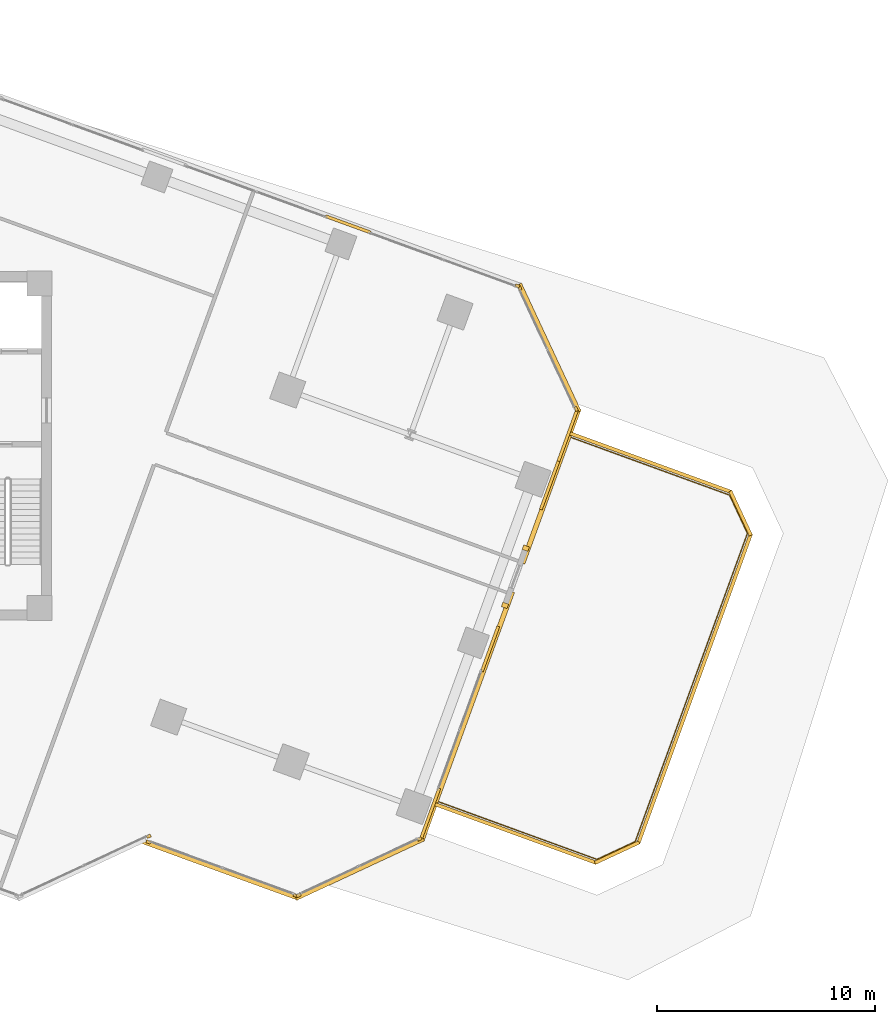
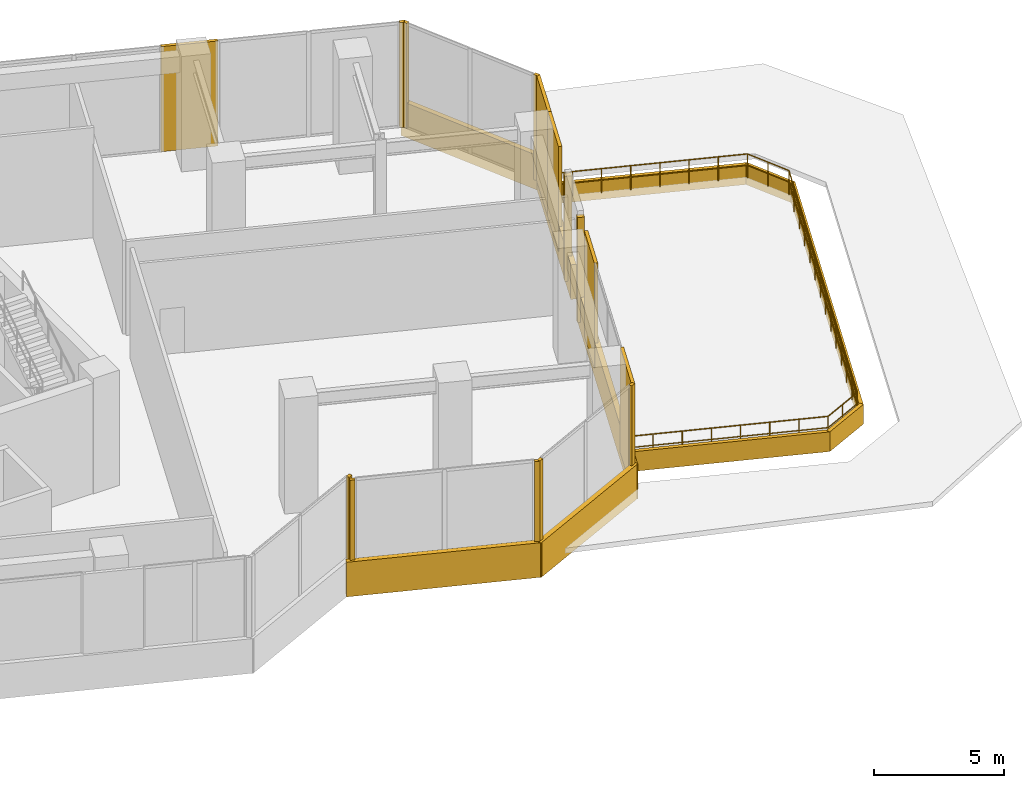
# One storey, part 20 of 21: 25 coverings, 1 railing.
"""IFC4 building model written with IfcOpenShell, lengths in metres."""

from ifc_helpers import new_model, si_unit, direction, frame, origin, origin_2d, place, context, subcontext, project, spatial, rectangle, circle, extrude, source, transform, mapped, material, layer, layer_set, type_object, element, save


model = new_model("IFC4")

# Units and contexts
model_context = context("Model", 3, precision=1e-05, world=origin(), true_north=direction((0.0, 1.0)))
body_context = subcontext(model_context, "Body", "Model", "MODEL_VIEW")
ifc_project = project(units=[si_unit("LENGTHUNIT", "METRE"), si_unit("AREAUNIT", "SQUARE_METRE"), si_unit("VOLUMEUNIT", "CUBIC_METRE"), si_unit("PLANEANGLEUNIT", "RADIAN"), si_unit("MASSUNIT", "GRAM", prefix="KILO")], contexts=[model_context])

# Site, building, storey
site_placement = place(None, origin())
site = spatial("IfcSite", under=ifc_project, at=site_placement, CompositionType="ELEMENT")
building_placement = place(site_placement, origin())
building = spatial("IfcBuilding", under=site, at=building_placement, Name="Torre Montelarca", CompositionType="ELEMENT")
storey_placement = place(building_placement, frame((0.0, 0.0, 127.60009765625)))
storey = spatial("IfcBuildingStorey", under=building, at=storey_placement, Name="L28", CompositionType="ELEMENT", Elevation=127.60009765625)

# Railing
ifc_material_1 = material(Name="Stainless steel AISI 316 and laminated glass", Category="steel")
railing_type = type_object("IfcRailingType", Name="RL-EXT-GUARD-1150", PredefinedType="BALUSTRADE", material=ifc_material_1)
railing_placement = place(storey_placement, frame((44.600341796875, 15.70654296875, 0.0)))
element("IfcRailing", 1, at=railing_placement, inside=storey, type_object=railing_type, Name="L28 Outdoor Terrace Balustrade Guard RL-L28-TER-01", PredefinedType="BALUSTRADE", context=body_context, shape_type="SweptSolid", body=[
    extrude(circle(Radius=0.02392578125, at=origin_2d()), frame((0.0, 0.0, 1.1259765625), z_axis=(0.939699329186, -0.342001711585, 0.0), x_axis=(0.342001711585, 0.939699329186, 0.0)), (0.0, 0.0, 1.0), 7.957275390625),
    extrude(circle(Radius=0.02099609375, at=origin_2d()), frame((0.0, 0.0, 0.597900390625), z_axis=(0.939699329186, -0.342001711585, 0.0), x_axis=(0.342001711585, 0.939699329186, 0.0)), (0.0, 0.0, 1.0), 7.957275390625),
    extrude(circle(Radius=0.02392578125, at=origin_2d()), frame((7.4775390625, -2.721435546875, 1.1259765625), z_axis=(0.90634050464, 0.422548091521, 0.0), x_axis=(-0.422548091521, 0.90634050464, 0.0)), (0.0, 0.0, 1.0), 1.94140625),
    extrude(circle(Radius=0.02099609375, at=origin_2d()), frame((7.4775390625, -2.721435546875, 0.597900390625), z_axis=(0.90634050464, 0.422548091521, 0.0), x_axis=(-0.422548091521, 0.90634050464, 0.0)), (0.0, 0.0, 1.0), 1.94140625),
    extrude(circle(Radius=0.02392578125, at=origin_2d()), frame((9.237060546875, -1.901123046875, 1.1259765625), z_axis=(0.342016125715, 0.939694083067, 0.0), x_axis=(-0.939694083067, 0.342016125715, 0.0)), (0.0, 0.0, 1.0), 15.07470703125),
    extrude(circle(Radius=0.02099609375, at=origin_2d()), frame((9.237060546875, -1.901123046875, 0.597900390625), z_axis=(0.342016125715, 0.939694083067, 0.0), x_axis=(-0.939694083067, 0.342016125715, 0.0)), (0.0, 0.0, 1.0), 15.07470703125),
    extrude(circle(Radius=0.02392578125, at=origin_2d()), frame((14.392822265625, 12.264404296875, 1.1259765625), z_axis=(-0.422699561417, 0.906269871935, 0.0), x_axis=(-0.906269871935, -0.422699561417, 0.0)), (0.0, 0.0, 1.0), 1.941162109375),
    extrude(circle(Radius=0.02099609375, at=origin_2d()), frame((14.392822265625, 12.264404296875, 0.597900390625), z_axis=(-0.422699561417, 0.906269871935, 0.0), x_axis=(-0.906269871935, -0.422699561417, 0.0)), (0.0, 0.0, 1.0), 1.941162109375),
    extrude(circle(Radius=0.02392578125, at=origin_2d()), frame((13.572265625, 14.023681640625, 1.1259765625), z_axis=(-0.939685879358, 0.342038664678, 0.0), x_axis=(-0.342038664678, -0.939685879358, 0.0)), (0.0, 0.0, 1.0), 7.957275390625),
    extrude(circle(Radius=0.02099609375, at=origin_2d()), frame((13.572265625, 14.023681640625, 0.597900390625), z_axis=(-0.939685879358, 0.342038664678, 0.0), x_axis=(-0.342038664678, -0.939685879358, 0.0)), (0.0, 0.0, 1.0), 7.957275390625),
    extrude(circle(Radius=0.02099609375, at=origin_2d()), origin(), (0.0, 0.0, 1.0), 1.101806640625),
    extrude(circle(Radius=0.02099609375, at=origin_2d()), frame((1.068115234375, -0.388671875, 0.0)), (0.0, 0.0, 1.0), 1.101806640625),
    extrude(circle(Radius=0.02099609375, at=origin_2d()), frame((2.136474609375, -0.777587890625, 0.0)), (0.0, 0.0, 1.0), 1.101806640625),
    extrude(circle(Radius=0.02099609375, at=origin_2d()), frame((3.20458984375, -1.166259765625, 0.0)), (0.0, 0.0, 1.0), 1.101806640625),
    extrude(circle(Radius=0.02099609375, at=origin_2d()), frame((4.27294921875, -1.55517578125, 0.0)), (0.0, 0.0, 1.0), 1.101806640625),
    extrude(circle(Radius=0.02099609375, at=origin_2d()), frame((5.341064453125, -1.94384765625, 0.0)), (0.0, 0.0, 1.0), 1.101806640625),
    extrude(circle(Radius=0.02099609375, at=origin_2d()), frame((6.409423828125, -2.332763671875, 0.0)), (0.0, 0.0, 1.0), 1.101806640625),
    extrude(circle(Radius=0.02099609375, at=origin_2d()), frame((7.4775390625, -2.721435546875, 0.0)), (0.0, 0.0, 1.0), 1.101806640625),
    extrude(circle(Radius=0.02099609375, at=origin_2d()), frame((8.357421875, -2.311279296875, 0.0)), (0.0, 0.0, 1.0), 1.101806640625),
    extrude(circle(Radius=0.02099609375, at=origin_2d()), frame((9.237060546875, -1.901123046875, 0.0)), (0.0, 0.0, 1.0), 1.101806640625),
    extrude(circle(Radius=0.02099609375, at=origin_2d()), frame((9.633544921875, -0.8115234375, 0.0)), (0.0, 0.0, 1.0), 1.101806640625),
    extrude(circle(Radius=0.02099609375, at=origin_2d()), frame((10.0302734375, 0.278076171875, 0.0)), (0.0, 0.0, 1.0), 1.101806640625),
    extrude(circle(Radius=0.02099609375, at=origin_2d()), frame((10.4267578125, 1.367919921875, 0.0)), (0.0, 0.0, 1.0), 1.101806640625),
    extrude(circle(Radius=0.02099609375, at=origin_2d()), frame((10.823486328125, 2.45751953125, 0.0)), (0.0, 0.0, 1.0), 1.101806640625),
    extrude(circle(Radius=0.02099609375, at=origin_2d()), frame((11.219970703125, 3.547119140625, 0.0)), (0.0, 0.0, 1.0), 1.101806640625),
    extrude(circle(Radius=0.02099609375, at=origin_2d()), frame((11.61669921875, 4.63671875, 0.0)), (0.0, 0.0, 1.0), 1.101806640625),
    extrude(circle(Radius=0.02099609375, at=origin_2d()), frame((12.01318359375, 5.7265625, 0.0)), (0.0, 0.0, 1.0), 1.101806640625),
    extrude(circle(Radius=0.02099609375, at=origin_2d()), frame((12.409912109375, 6.816162109375, 0.0)), (0.0, 0.0, 1.0), 1.101806640625),
    extrude(circle(Radius=0.02099609375, at=origin_2d()), frame((12.806396484375, 7.90576171875, 0.0)), (0.0, 0.0, 1.0), 1.101806640625),
    extrude(circle(Radius=0.02099609375, at=origin_2d()), frame((13.203125, 8.995361328125, 0.0)), (0.0, 0.0, 1.0), 1.101806640625),
    extrude(circle(Radius=0.02099609375, at=origin_2d()), frame((13.599609375, 10.085205078125, 0.0)), (0.0, 0.0, 1.0), 1.101806640625),
    extrude(circle(Radius=0.02099609375, at=origin_2d()), frame((13.996337890625, 11.1748046875, 0.0)), (0.0, 0.0, 1.0), 1.101806640625),
    extrude(circle(Radius=0.02099609375, at=origin_2d()), frame((14.392822265625, 12.264404296875, 0.0)), (0.0, 0.0, 1.0), 1.101806640625),
    extrude(circle(Radius=0.02099609375, at=origin_2d()), frame((13.982421875, 13.14404296875, 0.0)), (0.0, 0.0, 1.0), 1.101806640625),
    extrude(circle(Radius=0.02099609375, at=origin_2d()), frame((13.572265625, 14.023681640625, 0.0)), (0.0, 0.0, 1.0), 1.101806640625),
    extrude(circle(Radius=0.02099609375, at=origin_2d()), frame((12.504150390625, 14.41259765625, 0.0)), (0.0, 0.0, 1.0), 1.101806640625),
    extrude(circle(Radius=0.02099609375, at=origin_2d()), frame((11.435791015625, 14.80126953125, 0.0)), (0.0, 0.0, 1.0), 1.101806640625),
    extrude(circle(Radius=0.02099609375, at=origin_2d()), frame((10.36767578125, 15.190185546875, 0.0)), (0.0, 0.0, 1.0), 1.101806640625),
    extrude(circle(Radius=0.02099609375, at=origin_2d()), frame((9.299560546875, 15.578857421875, 0.0)), (0.0, 0.0, 1.0), 1.101806640625),
    extrude(circle(Radius=0.02099609375, at=origin_2d()), frame((8.2314453125, 15.9677734375, 0.0)), (0.0, 0.0, 1.0), 1.101806640625),
    extrude(circle(Radius=0.02099609375, at=origin_2d()), frame((7.1630859375, 16.3564453125, 0.0)), (0.0, 0.0, 1.0), 1.101806640625),
    extrude(circle(Radius=0.02099609375, at=origin_2d()), frame((6.094970703125, 16.745361328125, 0.0)), (0.0, 0.0, 1.0), 1.101806640625),
])

# Coverings
ifc_material_2 = material(Name="Bush-hammered warm white precast concrete C45/55", Category="concrete")
ifc_layer = layer(ifc_material_2, 0.139892578125, Name="Bush-hammered warm white precast concrete C45/55", Category="concrete")
ifc_layer_set = layer_set([ifc_layer], Name="Bush-hammered warm white precast concrete C45/55")
covering_type = type_object("IfcCoveringType", Name="COV-TRAY-CLAD", PredefinedType="CLADDING", material=ifc_layer_set)
shared_shape_1 = source(origin(), body_context, "Body", "SweptSolid", [
    extrude(rectangle(XDim=6.48388671875, YDim=0.219970703125, at=origin_2d()), origin(), (0.0, 0.0, 1.0), 1.6201171875),
])
for number, where, z_axis, x_axis, name in (
    (2, (41.17041015625, 12.572021484375, -0.4501953125), (0.0, 0.0, 1.0), (0.906309262247, 0.422615098127, 0.0), "L28 Architectural White Spandrel Tray Band TRYBOT-05"),
    (3, (49.877197265625, 36.494384765625, -0.4501953125), (0.0, 0.0, 1.0), (-0.422615098127, 0.906309262247, 0.0), "L28 Architectural White Spandrel Tray Band TRYBOT-07"),
):
    element("IfcCovering", number, at=place(storey_placement, frame(where, z_axis=z_axis, x_axis=x_axis)), inside=storey, type_object=covering_type, Name=name, PredefinedType="CLADDING", context=body_context, shape_type="MappedRepresentation", body=[
        mapped(shared_shape_1, transform((0.0, 0.0, 0.0), scale=1.0)),
    ])
shared_shape_2 = source(origin(), body_context, "Body", "SweptSolid", [
    extrude(rectangle(XDim=2.360107421875, YDim=0.139892578125, at=origin_2d()), origin(), (0.0, 0.0, 1.0), 4.919921875),
])
covering_1_placement = place(storey_placement, frame((49.899169921875, 30.177001953125, 0.0), z_axis=(0.0, 0.0, 1.0), x_axis=(0.342016863178, 0.939693814656, 0.0)))
element("IfcCovering", 4, at=covering_1_placement, inside=storey, type_object=covering_type, Name="L28 Architectural Column Pier Cladding E06-3", PredefinedType="CLADDING", context=body_context, shape_type="MappedRepresentation", body=[
    mapped(shared_shape_2, transform((0.0, 0.0, 0.0), scale=1.0)),
])
shared_shape_3 = source(origin(), body_context, "Body", "SweptSolid", [
    extrude(rectangle(XDim=0.199951171875, YDim=0.139892578125, at=origin_2d()), origin(), (0.0, 0.0, 1.0), 4.919921875),
])
for number, where, z_axis, x_axis, name in (
    (5, (31.475830078125, 14.047119140625, 0.0), (0.0, 0.0, 1.0), (0.906314425397, 0.422604025439, 0.0), "L28 Architectural Column Pier Cladding E02-2"),
    (6, (31.462646484375, 13.783935546875, 0.0), (0.0, 0.0, 1.0), (0.939695605439, -0.342011942948, 0.0), "L28 Architectural Column Pier Cladding E04-1"),
    (7, (38.220947265625, 11.32421875, 0.0), (0.0, 0.0, 1.0), (0.939695605439, -0.342011942948, 0.0), "L28 Architectural Column Pier Cladding E04-2"),
    (8, (38.3662109375, 11.33056640625, 0.0), (0.0, 0.0, 1.0), (0.906310737447, 0.422611934508, 0.0), "L28 Architectural Column Pier Cladding E05-1"),
    (9, (43.923828125, 13.922119140625, 0.0), (0.0, 0.0, 1.0), (0.906310737447, 0.422611934508, 0.0), "L28 Architectural Column Pier Cladding E05-2"),
    (10, (51.11865234375, 33.690185546875, 0.0), (0.0, 0.0, 1.0), (-0.422611934508, 0.906310737447, 0.0), "L28 Architectural Column Pier Cladding E07-1"),
    (11, (48.527099609375, 39.247802734375, 0.0), (0.0, 0.0, 1.0), (-0.422611934508, 0.906310737447, 0.0), "L28 Architectural Column Pier Cladding E07-2"),
    (12, (48.419921875, 39.345947265625, 0.0), (0.0, 0.0, 1.0), (-0.939693814656, 0.342016863178, 0.0), "L28 Architectural Column Pier Cladding E08-1"),
):
    element("IfcCovering", number, at=place(storey_placement, frame(where, z_axis=z_axis, x_axis=x_axis)), inside=storey, type_object=covering_type, Name=name, PredefinedType="CLADDING", context=body_context, shape_type="MappedRepresentation", body=[
        mapped(shared_shape_3, transform((0.0, 0.0, 0.0), scale=1.0)),
    ])
shared_shape_4 = source(origin(), body_context, "Body", "SweptSolid", [
    extrude(rectangle(XDim=2.2099609375, YDim=0.139892578125, at=origin_2d()), origin(), (0.0, 0.0, 1.0), 4.919921875),
])
for number, where, z_axis, x_axis, name in (
    (13, (47.1630859375, 22.659423828125, 0.0), (0.0, 0.0, 1.0), (0.342016863178, 0.939693814656, 0.0), "L28 Architectural Column Pier Cladding E06-2"),
    (14, (40.635498046875, 42.17919921875, 0.0), (0.0, 0.0, 1.0), (-0.939693814656, 0.342016863178, 0.0), "L28 Architectural Column Pier Cladding E08-2"),
):
    element("IfcCovering", number, at=place(storey_placement, frame(where, z_axis=z_axis, x_axis=x_axis)), inside=storey, type_object=covering_type, Name=name, PredefinedType="CLADDING", context=body_context, shape_type="MappedRepresentation", body=[
        mapped(shared_shape_4, transform((0.0, 0.0, 0.0), scale=1.0)),
    ])
shared_shape_5 = source(origin(), body_context, "Body", "SweptSolid", [
    extrude(rectangle(XDim=0.219970703125, YDim=0.280029296875, at=origin_2d()), origin(), (0.0, 0.0, 1.0), 4.919921875),
])
for number, where, z_axis, x_axis, name in (
    (15, (47.84912109375, 24.661376953125, 0.0), (0.0, 0.0, 1.0), (0.342016863178, 0.939693814656, 0.0), "L28 Terrace Portal Jamb Closure Mullion E06-A"),
    (16, (48.806640625, 27.29248046875, 0.0), (0.0, 0.0, 1.0), (0.342016863178, 0.939693814656, 0.0), "L28 Terrace Portal Jamb Closure Mullion E06-B"),
):
    element("IfcCovering", number, at=place(storey_placement, frame(where, z_axis=z_axis, x_axis=x_axis)), inside=storey, type_object=covering_type, Name=name, PredefinedType="CLADDING", context=body_context, shape_type="MappedRepresentation", body=[
        mapped(shared_shape_5, transform((0.0, 0.0, 0.0), scale=1.0)),
    ])
shared_shape_6 = source(origin(), body_context, "Body", "SweptSolid", [
    extrude(rectangle(XDim=2.464111328125, YDim=0.139892578125, at=origin_2d()), origin(), (0.0, 0.0, 1.0), 4.919921875),
])
covering_2_placement = place(storey_placement, frame((44.4091796875, 15.093017578125, 0.0), z_axis=(0.0, 0.0, 1.0), x_axis=(0.342016863178, 0.939693814656, 0.0)))
element("IfcCovering", 17, at=covering_2_placement, inside=storey, type_object=covering_type, Name="L28 Architectural Column Pier Cladding E06-1", PredefinedType="CLADDING", context=body_context, shape_type="MappedRepresentation", body=[
    mapped(shared_shape_6, transform((0.0, 0.0, 0.0), scale=1.0)),
])
shared_shape_7 = source(origin(), body_context, "Body", "SweptSolid", [
    extrude(rectangle(XDim=2.604248046875, YDim=0.139892578125, at=origin_2d()), origin(), (0.0, 0.0, 1.0), 4.919921875),
])
covering_3_placement = place(storey_placement, frame((50.7138671875, 32.415283203125, 0.0), z_axis=(0.0, 0.0, 1.0), x_axis=(0.342016863178, 0.939693814656, 0.0)))
element("IfcCovering", 18, at=covering_3_placement, inside=storey, type_object=covering_type, Name="L28 Architectural Column Pier Cladding E06-4", PredefinedType="CLADDING", context=body_context, shape_type="MappedRepresentation", body=[
    mapped(shared_shape_7, transform((0.0, 0.0, 0.0), scale=1.0)),
])
shared_shape_8 = source(origin(), body_context, "Body", "SweptSolid", [
    extrude(rectangle(XDim=7.6201171875, YDim=0.219970703125, at=origin_2d()), origin(), (0.0, 0.0, 1.0), 1.6201171875),
])
covering_4_placement = place(storey_placement, frame((34.785400390625, 12.5107421875, -0.4501953125), z_axis=(0.0, 0.0, 1.0), x_axis=(0.939695008514, -0.342013583025, 0.0)))
element("IfcCovering", 19, at=covering_4_placement, inside=storey, type_object=covering_type, Name="L28 Architectural White Spandrel Tray Band TRYBOT-04", PredefinedType="CLADDING", context=body_context, shape_type="MappedRepresentation", body=[
    mapped(shared_shape_8, transform((0.0, 0.0, 0.0), scale=1.0)),
])
shared_shape_9 = source(origin(), body_context, "Body", "SweptSolid", [
    extrude(rectangle(XDim=12.176025390625, YDim=0.219970703125, at=origin_2d()), origin(), (0.0, 0.0, 1.0), 1.6201171875),
])
covering_5_placement = place(storey_placement, frame((46.100341796875, 19.564208984375, -0.4501953125), z_axis=(0.0, 0.0, 1.0), x_axis=(0.342018503252, 0.939693217722, 0.0)))
element("IfcCovering", 20, at=covering_5_placement, inside=storey, type_object=covering_type, Name="L28 Architectural White Spandrel Tray Band TRYBOT-06A", PredefinedType="CLADDING", context=body_context, shape_type="MappedRepresentation", body=[
    mapped(shared_shape_9, transform((0.0, 0.0, 0.0), scale=1.0)),
])
shared_shape_10 = source(origin(), body_context, "Body", "SweptSolid", [
    extrude(rectangle(XDim=7.5439453125, YDim=0.219970703125, at=origin_2d()), origin(), (0.0, 0.0, 1.0), 1.6201171875),
])
covering_6_placement = place(storey_placement, frame((49.951416015625, 30.145263671875, -0.4501953125), z_axis=(0.0, 0.0, 1.0), x_axis=(0.342018503252, 0.939693217722, 0.0)))
element("IfcCovering", 21, at=covering_6_placement, inside=storey, type_object=covering_type, Name="L28 Architectural White Spandrel Tray Band TRYBOT-06B", PredefinedType="CLADDING", context=body_context, shape_type="MappedRepresentation", body=[
    mapped(shared_shape_10, transform((0.0, 0.0, 0.0), scale=1.0)),
])
shared_shape_11 = source(origin(), body_context, "Body", "SweptSolid", [
    extrude(rectangle(XDim=7.919921875, YDim=0.159912109375, at=origin_2d()), origin(), (0.0, 0.0, 1.0), 0.919921875),
])
for number, where, z_axis, x_axis, name in (
    (22, (48.3232421875, 14.181396484375, -0.360107421875), (0.0, 0.0, 1.0), (0.93969082996, -0.34202506354, 0.0), "L28 Architectural White Spandrel Tray Band TERBND1-01"),
    (23, (54.527587890625, 31.227294921875, -0.360107421875), (0.0, 0.0, 1.0), (-0.939695008514, 0.342013583025, 0.0), "L28 Architectural White Spandrel Tray Band TERBND1-05"),
):
    element("IfcCovering", number, at=place(storey_placement, frame(where, z_axis=z_axis, x_axis=x_axis)), inside=storey, type_object=covering_type, Name=name, PredefinedType="CLADDING", context=body_context, shape_type="MappedRepresentation", body=[
        mapped(shared_shape_11, transform((0.0, 0.0, 0.0), scale=1.0)),
    ])
shared_shape_12 = source(origin(), body_context, "Body", "SweptSolid", [
    extrude(rectangle(XDim=2.2412109375, YDim=0.159912109375, at=origin_2d()), origin(), (0.0, 0.0, 1.0), 0.919921875),
])
for number, where, z_axis, x_axis, name in (
    (24, (53.0029296875, 13.298095703125, -0.360107421875), (0.0, 0.0, 1.0), (0.906312212635, 0.422608770885, 0.0), "L28 Architectural White Spandrel Tray Band TERBND1-02"),
    (25, (58.68017578125, 28.89599609375, -0.360107421875), (0.0, 0.0, 1.0), (-0.422608770885, 0.906312212635, 0.0), "L28 Architectural White Spandrel Tray Band TERBND1-04"),
):
    element("IfcCovering", number, at=place(storey_placement, frame(where, z_axis=z_axis, x_axis=x_axis)), inside=storey, type_object=covering_type, Name=name, PredefinedType="CLADDING", context=body_context, shape_type="MappedRepresentation", body=[
        mapped(shared_shape_12, transform((0.0, 0.0, 0.0), scale=1.0)),
    ])
shared_shape_13 = source(origin(), body_context, "Body", "SweptSolid", [
    extrude(rectangle(XDim=15.1201171875, YDim=0.159912109375, at=origin_2d()), origin(), (0.0, 0.0, 1.0), 0.919921875),
])
covering_7_placement = place(storey_placement, frame((56.5654296875, 20.83349609375, -0.360107421875), z_axis=(0.0, 0.0, 1.0), x_axis=(0.342020143326, 0.939692620786, 0.0)))
element("IfcCovering", 26, at=covering_7_placement, inside=storey, type_object=covering_type, Name="L28 Architectural White Spandrel Tray Band TERBND1-03", PredefinedType="CLADDING", context=body_context, shape_type="MappedRepresentation", body=[
    mapped(shared_shape_13, transform((0.0, 0.0, 0.0), scale=1.0)),
])

save(model, "model.ifc")
